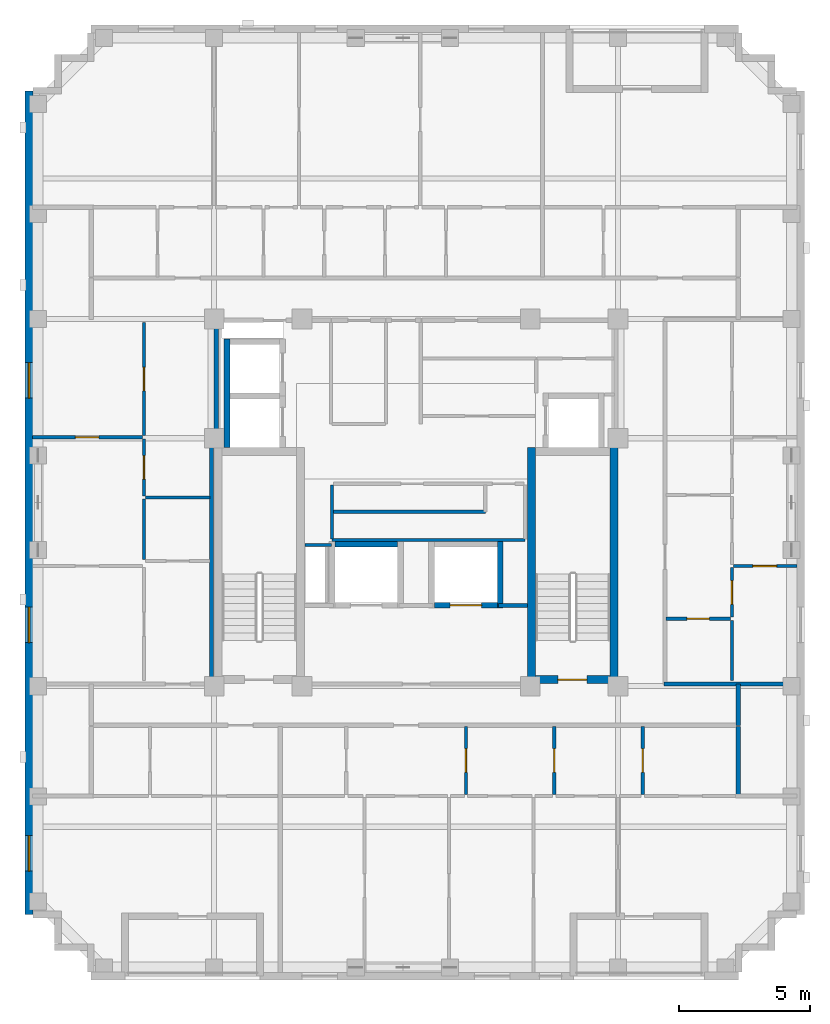
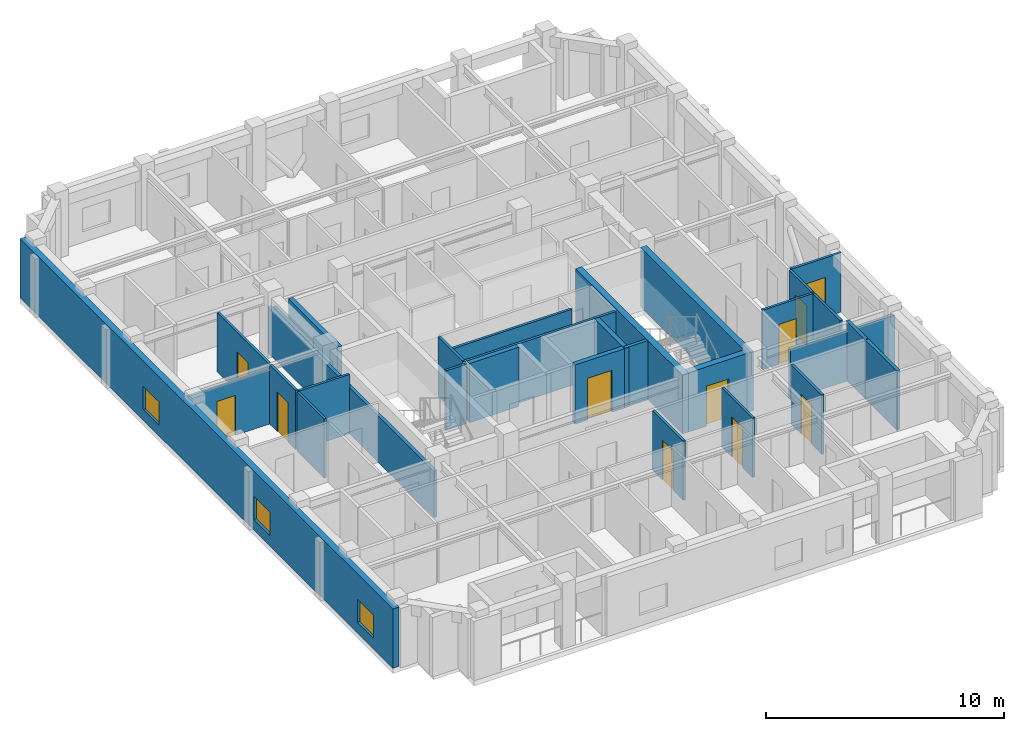
# One storey, part 4 of 11: 30 walls, 11 doors, 3 windows, 14 openings.
"""IFC4 building model written with IfcOpenShell, lengths in metres."""

from ifc_helpers import new_model, si_unit, derived_unit, direction, frame, frame_2d, origin, place, context, subcontext, project, spatial, rectangle, extrude, material, layer, layer_set, type_object, element, fill, save


model = new_model("IFC4")

# Units and contexts
model_context = context("Model", 3, precision=1e-05, world=origin(), true_north=direction((0.0, 1.0)))
body_context = subcontext(model_context, "Body", "Model", "MODEL_VIEW")
ifc_project = project(units=[si_unit("LENGTHUNIT", "METRE"), si_unit("AREAUNIT", "SQUARE_METRE"), si_unit("VOLUMEUNIT", "CUBIC_METRE"), si_unit("PLANEANGLEUNIT", "RADIAN"), si_unit("MASSUNIT", "GRAM", prefix="KILO"), derived_unit("THERMALTRANSMITTANCEUNIT", [(si_unit("MASSUNIT", "GRAM", prefix="KILO"), 1), (si_unit("TIMEUNIT", "SECOND"), -3), (si_unit("THERMODYNAMICTEMPERATUREUNIT", "KELVIN"), -1)])], contexts=[model_context])

# Site, building, storey
site_placement = place(None, origin())
site = spatial("IfcSite", under=ifc_project, at=site_placement, CompositionType="ELEMENT")
building_placement = place(site_placement, origin())
building = spatial("IfcBuilding", under=site, at=building_placement, Name="Korrvale Station Residences", CompositionType="ELEMENT")
storey_placement = place(building_placement, frame((0.0, 0.0, 258.10009765625)))
storey = spatial("IfcBuildingStorey", under=building, at=storey_placement, Name="L75", CompositionType="ELEMENT", Elevation=258.10009765625)

# Walls
ifc_material_1 = material(Name="Concrete C50/60", Category="concrete")
ifc_layer_1 = layer(ifc_material_1, 0.300048828125, Name="Concrete C50/60")
ifc_layer_set_1 = layer_set([ifc_layer_1], Name="Concrete C50/60")
wall_type_1 = type_object("IfcWallType", Name="WAL-CORE-300-C50", PredefinedType="SHEAR", material=ifc_layer_set_1)
for number, where, z_axis, x_axis, name in (
    (1, (29.89990234375, 15.10009765625, 0.0), (0.0, 0.0, 1.0), (0.0, 1.0, 0.0), "L75 ST-2 Core Shear Wall West"),
    (2, (33.050048828125, 15.10009765625, 0.0), (0.0, 0.0, 1.0), (0.0, 1.0, 0.0), "L75 ST-2 Core Shear Wall East"),
):
    element("IfcWall", number, at=place(storey_placement, frame(where, z_axis=z_axis, x_axis=x_axis)), inside=storey, type_object=wall_type_1, Name=name, PredefinedType="SHEAR", context=body_context, shape_type="SweptSolid", body=[
        extrude(rectangle(XDim=9.0, YDim=0.300048828125, at=frame_2d((4.5, 0.0))), origin(), (0.0, 0.0, 1.0), 3.0498046875),
    ])

# Wall, opening, door
wall_1_placement = place(storey_placement, frame((30.050048828125, 15.25, 0.0), z_axis=(0.0, 0.0, 1.0), x_axis=(1.0, 0.0, 0.0)))
wall_1 = element("IfcWall", 3, at=wall_1_placement, inside=storey, type_object=wall_type_1, Name="L75 ST-2 Core Shear Wall South", PredefinedType="SHEAR", context=body_context, shape_type="SweptSolid", body=[
    extrude(rectangle(XDim=2.849853515625, YDim=0.300048828125, at=frame_2d((1.4248046875, 0.0))), origin(), (0.0, 0.0, 1.0), 3.0498046875),
])
opening_1_placement = place(wall_1_placement, frame((0.860107421875, 0.0, 0.0)))
opening_1 = element("IfcOpeningElement", 4, at=opening_1_placement, cuts=wall_1, Name="Opening SD-1100", PredefinedType="OPENING", context=body_context, shape_type="SweptSolid", body=[
    extrude(rectangle(XDim=1.10009765625, YDim=2.050048828125, at=frame_2d((0.550048828125, 1.02490234375))), frame((0.0, 0.16015625, 0.0), z_axis=(0.0, -1.0, 0.0), x_axis=(1.0, 0.0, 0.0)), (0.0, 0.0, 1.0), 0.320068359375),
])
ifc_material_2 = material(Name="Hollow-metal fire-rated stair door with closer", Category="steel")
door_type_1 = type_object("IfcDoorType", Name="DR-STAIR-1100", OperationType="NOTDEFINED", PredefinedType="DOOR", material=ifc_material_2)
door_1_placement = place(opening_1_placement, origin())
door_1 = element("IfcDoor", 5, at=door_1_placement, inside=storey, type_object=door_type_1, Name="L75 ST-2 Exit Stair Door", OperationType="SINGLE_SWING_RIGHT", OverallHeight=2.050048828125, OverallWidth=1.10009765625, PredefinedType="DOOR", context=body_context, shape_type="SweptSolid", body=[
    extrude(rectangle(XDim=1.10009765625, YDim=2.050048828125, at=frame_2d((0.550048828125, 1.02490234375))), frame((0.0, 0.02490234375, 0.0), z_axis=(0.0, -1.0, 0.0), x_axis=(1.0, 0.0, 0.0)), (0.0, 0.0, 1.0), 0.050048828125),
])
fill(opening_1, door_1)

# Wall, openings, windows
ifc_material_3 = material(Name="Precast concrete C45/55", Category="concrete")
ifc_layer_2 = layer(ifc_material_3, 0.300048828125, Name="Precast concrete C45/55")
ifc_layer_set_2 = layer_set([ifc_layer_2], Name="Precast concrete C45/55")
wall_type_2 = type_object("IfcWallType", Name="WAL-EXT-PC300", PredefinedType="SOLIDWALL", material=ifc_layer_set_2)
wall_2_placement = place(storey_placement, frame((10.75, 6.300048828125, 0.0), z_axis=(0.0, 0.0, 1.0), x_axis=(0.0, 1.0, 0.0)))
wall_2 = element("IfcWall", 6, at=wall_2_placement, inside=storey, type_object=wall_type_2, Name="L75 West Exterior Precast Wall 1", PredefinedType="SOLIDWALL", context=body_context, shape_type="SweptSolid", body=[
    extrude(rectangle(XDim=31.39990234375, YDim=0.300048828125, at=frame_2d((15.699951171875, 0.0))), origin(), (0.0, 0.0, 1.0), 3.0498046875),
])
opening_2_placement = place(wall_2_placement, frame((1.653076171875, 0.0, 0.550048828125)))
opening_2 = element("IfcOpeningElement", 7, at=opening_2_placement, cuts=wall_2, Name="Opening W-10", PredefinedType="OPENING", context=body_context, shape_type="SweptSolid", body=[
    extrude(rectangle(XDim=1.35009765625, YDim=1.199951171875, at=frame_2d((0.675048828125, 0.60009765625))), frame((0.0, 0.16015625, 0.0), z_axis=(0.0, -1.0, 0.0), x_axis=(1.0, 0.0, 0.0)), (0.0, 0.0, 1.0), 0.320068359375),
])
opening_3_placement = place(wall_2_placement, frame((10.366943359375, 0.0, 0.550048828125)))
opening_3 = element("IfcOpeningElement", 8, at=opening_3_placement, cuts=wall_2, Name="Opening W-10", PredefinedType="OPENING", context=body_context, shape_type="SweptSolid", body=[
    extrude(rectangle(XDim=1.35009765625, YDim=1.199951171875, at=frame_2d((0.675048828125, 0.60009765625))), frame((0.0, 0.16015625, 0.0), z_axis=(0.0, -1.0, 0.0), x_axis=(1.0, 0.0, 0.0)), (0.0, 0.0, 1.0), 0.320068359375),
])
opening_4_placement = place(wall_2_placement, frame((19.68310546875, 0.0, 0.550048828125)))
opening_4 = element("IfcOpeningElement", 9, at=opening_4_placement, cuts=wall_2, Name="Opening W-10", PredefinedType="OPENING", context=body_context, shape_type="SweptSolid", body=[
    extrude(rectangle(XDim=1.35009765625, YDim=1.199951171875, at=frame_2d((0.675048828125, 0.60009765625))), frame((0.0, 0.16015625, 0.0), z_axis=(0.0, -1.0, 0.0), x_axis=(1.0, 0.0, 0.0)), (0.0, 0.0, 1.0), 0.320068359375),
])
ifc_material_4 = material(Name="Thermally broken aluminium frame with triple low-e glazing", Category="aluminium")
window_type = type_object("IfcWindowType", Name="WIN-W10", PartitioningType="SINGLE_PANEL", PredefinedType="WINDOW", material=ifc_material_4)
window_1_placement = place(opening_2_placement, origin())
window_1 = element("IfcWindow", 10, at=window_1_placement, inside=storey, type_object=window_type, Name="L75 Punched Window 01", OverallHeight=1.199951171875, OverallWidth=1.35009765625, PartitioningType="SINGLE_PANEL", PredefinedType="WINDOW", context=body_context, shape_type="SweptSolid", body=[
    extrude(rectangle(XDim=1.35009765625, YDim=1.199951171875, at=frame_2d((0.675048828125, 0.60009765625))), frame((0.0, 0.030029296875, 0.0), z_axis=(0.0, -1.0, 0.0), x_axis=(1.0, 0.0, 0.0)), (0.0, 0.0, 1.0), 0.06005859375),
])
fill(opening_2, window_1)
window_2_placement = place(opening_3_placement, origin())
window_2 = element("IfcWindow", 11, at=window_2_placement, inside=storey, type_object=window_type, Name="L75 Punched Window 11", OverallHeight=1.199951171875, OverallWidth=1.35009765625, PartitioningType="SINGLE_PANEL", PredefinedType="WINDOW", context=body_context, shape_type="SweptSolid", body=[
    extrude(rectangle(XDim=1.35009765625, YDim=1.199951171875, at=frame_2d((0.675048828125, 0.60009765625))), frame((0.0, 0.030029296875, 0.0), z_axis=(0.0, -1.0, 0.0), x_axis=(1.0, 0.0, 0.0)), (0.0, 0.0, 1.0), 0.06005859375),
])
fill(opening_3, window_2)
window_3_placement = place(opening_4_placement, origin())
window_3 = element("IfcWindow", 12, at=window_3_placement, inside=storey, type_object=window_type, Name="L75 Punched Window 12", OverallHeight=1.199951171875, OverallWidth=1.35009765625, PartitioningType="SINGLE_PANEL", PredefinedType="WINDOW", context=body_context, shape_type="SweptSolid", body=[
    extrude(rectangle(XDim=1.35009765625, YDim=1.199951171875, at=frame_2d((0.675048828125, 0.60009765625))), frame((0.0, 0.030029296875, 0.0), z_axis=(0.0, -1.0, 0.0), x_axis=(1.0, 0.0, 0.0)), (0.0, 0.0, 1.0), 0.06005859375),
])
fill(opening_4, window_3)

# Walls
ifc_material_5 = material(Name="Acoustic steel-stud gypsum board partition", Category="steel")
ifc_layer_3 = layer(ifc_material_5, 0.1201171875, Name="Acoustic steel-stud gypsum board partition")
ifc_layer_set_3 = layer_set([ifc_layer_3], Name="Acoustic steel-stud gypsum board partition")
wall_type_3 = type_object("IfcWallType", Name="WAL-PART-125", PredefinedType="PARTITIONING", material=ifc_layer_set_3)
wall_3_placement = place(storey_placement, frame((22.280029296875, 20.3798828125, 0.0), z_axis=(0.0, 0.0, 1.0), x_axis=(-1.0, 0.0, 0.0)))
element("IfcWall", 13, at=wall_3_placement, inside=storey, type_object=wall_type_3, Name="L75 Core Partition CW-RSWT-N", PredefinedType="PARTITIONING", context=body_context, shape_type="SweptSolid", body=[
    extrude(rectangle(XDim=1.02001953125, YDim=0.1201171875, at=frame_2d((0.510009765625, 0.0))), origin(), (0.0, 0.0, 1.0), 3.0498046875),
])
wall_4_placement = place(storey_placement, frame((22.300048828125, 20.580078125, 0.0), z_axis=(0.0, 0.0, 1.0), x_axis=(1.0, 0.0, 0.0)))
element("IfcWall", 14, at=wall_4_placement, inside=storey, type_object=wall_type_3, Name="L75 Core Partition CW-FPM-S", PredefinedType="PARTITIONING", context=body_context, shape_type="SweptSolid", body=[
    extrude(rectangle(XDim=7.349853515625, YDim=0.1201171875, at=frame_2d((3.6748046875, 0.0))), origin(), (0.0, 0.0, 1.0), 3.0498046875),
])
wall_5_placement = place(storey_placement, frame((22.300048828125, 20.6201171875, 0.0), z_axis=(0.0, 0.0, 1.0), x_axis=(0.0, 1.0, 0.0)))
element("IfcWall", 15, at=wall_5_placement, inside=storey, type_object=wall_type_3, Name="L75 Core Partition CW-FPM-W", PredefinedType="PARTITIONING", context=body_context, shape_type="SweptSolid", body=[
    extrude(rectangle(XDim=2.059814453125, YDim=0.1201171875, at=frame_2d((1.02978515625, 0.0))), origin(), (0.0, 0.0, 1.0), 3.0498046875),
])
wall_6_placement = place(storey_placement, frame((22.35009765625, 21.64990234375, 0.0), z_axis=(0.0, 0.0, 1.0), x_axis=(1.0, 0.0, 0.0)))
element("IfcWall", 16, at=wall_6_placement, inside=storey, type_object=wall_type_3, Name="L75 Core Partition CW-FPM-H1", PredefinedType="PARTITIONING", context=body_context, shape_type="SweptSolid", body=[
    extrude(rectangle(XDim=5.789794921875, YDim=0.1201171875, at=frame_2d((2.89501953125, 0.0))), origin(), (0.0, 0.0, 1.0), 3.0498046875),
])

# Wall, opening, door
wall_7_placement = place(storey_placement, frame((27.39990234375, 10.8701171875, 0.0), z_axis=(0.0, 0.0, 1.0), x_axis=(0.0, 1.0, 0.0)))
wall_7 = element("IfcWall", 17, at=wall_7_placement, inside=storey, type_object=wall_type_3, Name="L75 Suite Partition U02-V12", PredefinedType="PARTITIONING", context=body_context, shape_type="SweptSolid", body=[
    extrude(rectangle(XDim=2.599853515625, YDim=0.1201171875, at=frame_2d((1.2998046875, 0.0))), origin(), (0.0, 0.0, 1.0), 3.0498046875),
])
opening_5_placement = place(wall_7_placement, frame((0.85009765625, 0.0, 0.0)))
opening_5 = element("IfcOpeningElement", 18, at=opening_5_placement, cuts=wall_7, Name="Opening DI-900", PredefinedType="OPENING", context=body_context, shape_type="SweptSolid", body=[
    extrude(rectangle(XDim=0.89990234375, YDim=2.050048828125, at=frame_2d((0.449951171875, 1.02490234375))), frame((0.0, 0.070068359375, 0.0), z_axis=(0.0, -1.0, 0.0), x_axis=(1.0, 0.0, 0.0)), (0.0, 0.0, 1.0), 0.14013671875),
])
ifc_material_6 = material(Name="Painted solid-core timber interior room door", Category="wood")
door_type_2 = type_object("IfcDoorType", Name="DR-INT-900", OperationType="NOTDEFINED", PredefinedType="DOOR", material=ifc_material_6)
door_2_placement = place(opening_5_placement, origin())
door_2 = element("IfcDoor", 19, at=door_2_placement, inside=storey, type_object=door_type_2, Name="L75 Studio Apartment L75-U02 Kitchen Door", OperationType="SINGLE_SWING_LEFT", OverallHeight=2.050048828125, OverallWidth=0.89990234375, PredefinedType="DOOR", context=body_context, shape_type="SweptSolid", body=[
    extrude(rectangle(XDim=0.89990234375, YDim=2.050048828125, at=frame_2d((0.449951171875, 1.02490234375))), frame((0.0, 0.02490234375, 0.0), z_axis=(0.0, -1.0, 0.0), x_axis=(1.0, 0.0, 0.0)), (0.0, 0.0, 1.0), 0.050048828125),
])
fill(opening_5, door_2)

wall_8_placement = place(storey_placement, frame((30.77001953125, 10.8701171875, 0.0), z_axis=(0.0, 0.0, 1.0), x_axis=(0.0, 1.0, 0.0)))
wall_8 = element("IfcWall", 20, at=wall_8_placement, inside=storey, type_object=wall_type_3, Name="L75 Suite Partition U02-V23", PredefinedType="PARTITIONING", context=body_context, shape_type="SweptSolid", body=[
    extrude(rectangle(XDim=2.599853515625, YDim=0.1201171875, at=frame_2d((1.2998046875, 0.0))), origin(), (0.0, 0.0, 1.0), 3.0498046875),
])
opening_6_placement = place(wall_8_placement, frame((0.85009765625, 0.0, 0.0)))
opening_6 = element("IfcOpeningElement", 21, at=opening_6_placement, cuts=wall_8, Name="Opening DI-900", PredefinedType="OPENING", context=body_context, shape_type="SweptSolid", body=[
    extrude(rectangle(XDim=0.89990234375, YDim=2.050048828125, at=frame_2d((0.449951171875, 1.02490234375))), frame((0.0, 0.070068359375, 0.0), z_axis=(0.0, -1.0, 0.0), x_axis=(1.0, 0.0, 0.0)), (0.0, 0.0, 1.0), 0.14013671875),
])
door_3_placement = place(opening_6_placement, origin())
door_3 = element("IfcDoor", 22, at=door_3_placement, inside=storey, type_object=door_type_2, Name="L75 Studio Apartment L75-U02 Home Study Room Door", OperationType="SINGLE_SWING_LEFT", OverallHeight=2.050048828125, OverallWidth=0.89990234375, PredefinedType="DOOR", context=body_context, shape_type="SweptSolid", body=[
    extrude(rectangle(XDim=0.89990234375, YDim=2.050048828125, at=frame_2d((0.449951171875, 1.02490234375))), frame((0.0, 0.02490234375, 0.0), z_axis=(0.0, -1.0, 0.0), x_axis=(1.0, 0.0, 0.0)), (0.0, 0.0, 1.0), 0.050048828125),
])
fill(opening_6, door_3)

wall_9_placement = place(storey_placement, frame((34.139892578125, 10.8701171875, 0.0), z_axis=(0.0, 0.0, 1.0), x_axis=(0.0, 1.0, 0.0)))
wall_9 = element("IfcWall", 23, at=wall_9_placement, inside=storey, type_object=wall_type_3, Name="L75 Suite Partition U02-V34", PredefinedType="PARTITIONING", context=body_context, shape_type="SweptSolid", body=[
    extrude(rectangle(XDim=2.599853515625, YDim=0.1201171875, at=frame_2d((1.2998046875, 0.0))), origin(), (0.0, 0.0, 1.0), 3.0498046875),
])
opening_7_placement = place(wall_9_placement, frame((0.85009765625, 0.0, 0.0)))
opening_7 = element("IfcOpeningElement", 24, at=opening_7_placement, cuts=wall_9, Name="Opening DI-900", PredefinedType="OPENING", context=body_context, shape_type="SweptSolid", body=[
    extrude(rectangle(XDim=0.89990234375, YDim=2.050048828125, at=frame_2d((0.449951171875, 1.02490234375))), frame((0.0, 0.070068359375, 0.0), z_axis=(0.0, -1.0, 0.0), x_axis=(1.0, 0.0, 0.0)), (0.0, 0.0, 1.0), 0.14013671875),
])
door_4_placement = place(opening_7_placement, origin())
door_4 = element("IfcDoor", 25, at=door_4_placement, inside=storey, type_object=door_type_2, Name="L75 Studio Apartment L75-U02 Home Study Room Door", OperationType="SINGLE_SWING_LEFT", OverallHeight=2.050048828125, OverallWidth=0.89990234375, PredefinedType="DOOR", context=body_context, shape_type="SweptSolid", body=[
    extrude(rectangle(XDim=0.89990234375, YDim=2.050048828125, at=frame_2d((0.449951171875, 1.02490234375))), frame((0.0, 0.02490234375, 0.0), z_axis=(0.0, -1.0, 0.0), x_axis=(1.0, 0.0, 0.0)), (0.0, 0.0, 1.0), 0.050048828125),
])
fill(opening_7, door_4)

# Wall
wall_10_placement = place(storey_placement, frame((15.18994140625, 22.18994140625, 0.0), z_axis=(0.0, 0.0, 1.0), x_axis=(1.0, 0.0, 0.0)))
element("IfcWall", 26, at=wall_10_placement, inside=storey, type_object=wall_type_3, Name="L75 Suite Partition U05-H01", PredefinedType="PARTITIONING", context=body_context, shape_type="SweptSolid", body=[
    extrude(rectangle(XDim=2.449951171875, YDim=0.1201171875, at=frame_2d((1.22509765625, 0.0))), origin(), (0.0, 0.0, 1.0), 3.0498046875),
])

# Wall, opening, door
wall_11_placement = place(storey_placement, frame((15.1298828125, 22.25, 0.0), z_axis=(0.0, 0.0, 1.0), x_axis=(0.0, 1.0, 0.0)))
wall_11 = element("IfcWall", 27, at=wall_11_placement, inside=storey, type_object=wall_type_3, Name="L75 Suite Partition U05-V04", PredefinedType="PARTITIONING", context=body_context, shape_type="SweptSolid", body=[
    extrude(rectangle(XDim=2.181884765625, YDim=0.1201171875, at=frame_2d((1.0908203125, 0.0))), origin(), (0.0, 0.0, 1.0), 3.0498046875),
])
opening_8_placement = place(wall_11_placement, frame((0.64111328125, 0.0, 0.0)))
opening_8 = element("IfcOpeningElement", 28, at=opening_8_placement, cuts=wall_11, Name="Opening DI-900", PredefinedType="OPENING", context=body_context, shape_type="SweptSolid", body=[
    extrude(rectangle(XDim=0.89990234375, YDim=2.050048828125, at=frame_2d((0.449951171875, 1.02490234375))), frame((0.0, 0.070068359375, 0.0), z_axis=(0.0, -1.0, 0.0), x_axis=(1.0, 0.0, 0.0)), (0.0, 0.0, 1.0), 0.14013671875),
])
door_5_placement = place(opening_8_placement, origin())
door_5 = element("IfcDoor", 29, at=door_5_placement, inside=storey, type_object=door_type_2, Name="L75 Apartment 2BR L75-U05 Wardrobe Storage Room Door", OperationType="SINGLE_SWING_LEFT", OverallHeight=2.050048828125, OverallWidth=0.89990234375, PredefinedType="DOOR", context=body_context, shape_type="SweptSolid", body=[
    extrude(rectangle(XDim=0.89990234375, YDim=2.050048828125, at=frame_2d((0.449951171875, 1.02490234375))), frame((0.0, 0.02490234375, 0.0), z_axis=(0.0, -1.0, 0.0), x_axis=(1.0, 0.0, 0.0)), (0.0, 0.0, 1.0), 0.050048828125),
])
fill(opening_8, door_5)

wall_12_placement = place(storey_placement, frame((15.1298828125, 24.552001953125, 0.0), z_axis=(0.0, 0.0, 1.0), x_axis=(0.0, 1.0, 0.0)))
wall_12 = element("IfcWall", 30, at=wall_12_placement, inside=storey, type_object=wall_type_3, Name="L75 Suite Partition U05-V05", PredefinedType="PARTITIONING", context=body_context, shape_type="SweptSolid", body=[
    extrude(rectangle(XDim=4.30810546875, YDim=0.1201171875, at=frame_2d((2.154052734375, 0.0))), origin(), (0.0, 0.0, 1.0), 3.0498046875),
])
opening_9_placement = place(wall_12_placement, frame((1.7041015625, 0.0, 0.0)))
opening_9 = element("IfcOpeningElement", 31, at=opening_9_placement, cuts=wall_12, Name="Opening DI-900", PredefinedType="OPENING", context=body_context, shape_type="SweptSolid", body=[
    extrude(rectangle(XDim=0.89990234375, YDim=2.050048828125, at=frame_2d((0.449951171875, 1.02490234375))), frame((0.0, 0.070068359375, 0.0), z_axis=(0.0, -1.0, 0.0), x_axis=(1.0, 0.0, 0.0)), (0.0, 0.0, 1.0), 0.14013671875),
])
door_6_placement = place(opening_9_placement, origin())
door_6 = element("IfcDoor", 32, at=door_6_placement, inside=storey, type_object=door_type_2, Name="L75 Apartment 2BR L75-U05 Wardrobe Storage Room Door", OperationType="SINGLE_SWING_RIGHT", OverallHeight=2.050048828125, OverallWidth=0.89990234375, PredefinedType="DOOR", context=body_context, shape_type="SweptSolid", body=[
    extrude(rectangle(XDim=0.89990234375, YDim=2.050048828125, at=frame_2d((0.449951171875, 1.02490234375))), frame((0.0, 0.02490234375, 0.0), z_axis=(0.0, -1.0, 0.0), x_axis=(1.0, 0.0, 0.0)), (0.0, 0.0, 1.0), 0.050048828125),
])
fill(opening_9, door_6)

# Wall
wall_13_placement = place(storey_placement, frame((15.1298828125, 19.830078125, 0.0), z_axis=(0.0, 0.0, 1.0), x_axis=(0.0, 1.0, 0.0)))
element("IfcWall", 33, at=wall_13_placement, inside=storey, type_object=wall_type_3, Name="L75 Suite Partition U05-V14", PredefinedType="PARTITIONING", context=body_context, shape_type="SweptSolid", body=[
    extrude(rectangle(XDim=2.2998046875, YDim=0.1201171875, at=frame_2d((1.14990234375, 0.0))), origin(), (0.0, 0.0, 1.0), 3.0498046875),
])

# Wall, opening, door
wall_14_placement = place(storey_placement, frame((10.8798828125, 24.491943359375, 0.0), z_axis=(0.0, 0.0, 1.0), x_axis=(1.0, 0.0, 0.0)))
wall_14 = element("IfcWall", 34, at=wall_14_placement, inside=storey, type_object=wall_type_3, Name="L75 Suite Partition U05-H45", PredefinedType="PARTITIONING", context=body_context, shape_type="SweptSolid", body=[
    extrude(rectangle(XDim=4.190185546875, YDim=0.1201171875, at=frame_2d((2.09521484375, 0.0))), origin(), (0.0, 0.0, 1.0), 2.787841796875),
])
opening_10_placement = place(wall_14_placement, frame((1.6298828125, 0.0, 0.0)))
opening_10 = element("IfcOpeningElement", 35, at=opening_10_placement, cuts=wall_14, Name="Opening DI-900", PredefinedType="OPENING", context=body_context, shape_type="SweptSolid", body=[
    extrude(rectangle(XDim=0.89990234375, YDim=2.050048828125, at=frame_2d((0.449951171875, 1.02490234375))), frame((0.0, 0.070068359375, 0.0), z_axis=(0.0, -1.0, 0.0), x_axis=(1.0, 0.0, 0.0)), (0.0, 0.0, 1.0), 0.14013671875),
])
door_7_placement = place(opening_10_placement, origin())
door_7 = element("IfcDoor", 36, at=door_7_placement, inside=storey, type_object=door_type_2, Name="L75 Apartment 2BR L75-U05 Living and Dining Room Door", OperationType="SINGLE_SWING_RIGHT", OverallHeight=2.050048828125, OverallWidth=0.89990234375, PredefinedType="DOOR", context=body_context, shape_type="SweptSolid", body=[
    extrude(rectangle(XDim=0.89990234375, YDim=2.050048828125, at=frame_2d((0.449951171875, 1.02490234375))), frame((0.0, 0.02490234375, 0.0), z_axis=(0.0, -1.0, 0.0), x_axis=(1.0, 0.0, 0.0)), (0.0, 0.0, 1.0), 0.050048828125),
])
fill(opening_10, door_7)

wall_15_placement = place(storey_placement, frame((35.030029296875, 17.570068359375, 0.0), z_axis=(0.0, 0.0, 1.0), x_axis=(1.0, 0.0, 0.0)))
wall_15 = element("IfcWall", 37, at=wall_15_placement, inside=storey, type_object=wall_type_3, Name="L75 Suite Partition U06-H12", PredefinedType="PARTITIONING", context=body_context, shape_type="SweptSolid", body=[
    extrude(rectangle(XDim=2.449951171875, YDim=0.1201171875, at=frame_2d((1.22509765625, 0.0))), origin(), (0.0, 0.0, 1.0), 3.0498046875),
])
opening_11_placement = place(wall_15_placement, frame((0.794921875, 0.0, 0.0)))
opening_11 = element("IfcOpeningElement", 38, at=opening_11_placement, cuts=wall_15, Name="Opening DB-860", PredefinedType="OPENING", context=body_context, shape_type="SweptSolid", body=[
    extrude(rectangle(XDim=0.860107421875, YDim=2.050048828125, at=frame_2d((0.43017578125, 1.02490234375))), frame((0.0, 0.070068359375, 0.0), z_axis=(0.0, -1.0, 0.0), x_axis=(1.0, 0.0, 0.0)), (0.0, 0.0, 1.0), 0.14013671875),
])
ifc_material_7 = material(Name="Moisture-resistant solid-core bathroom door", Category="timber")
door_type_3 = type_object("IfcDoorType", Name="DR-BATH-860", OperationType="NOTDEFINED", PredefinedType="DOOR", material=ifc_material_7)
door_8_placement = place(opening_11_placement, origin())
door_8 = element("IfcDoor", 39, at=door_8_placement, inside=storey, type_object=door_type_3, Name="L75 Apartment 2BR L75-U06 Bathroom Door", OperationType="SINGLE_SWING_RIGHT", OverallHeight=2.050048828125, OverallWidth=0.860107421875, PredefinedType="DOOR", context=body_context, shape_type="SweptSolid", body=[
    extrude(rectangle(XDim=0.860107421875, YDim=2.050048828125, at=frame_2d((0.43017578125, 1.02490234375))), frame((0.0, 0.02490234375, 0.0), z_axis=(0.0, -1.0, 0.0), x_axis=(1.0, 0.0, 0.0)), (0.0, 0.0, 1.0), 0.050048828125),
])
fill(opening_11, door_8)

# Wall
wall_16_placement = place(storey_placement, frame((37.5400390625, 15.2099609375, 0.0), z_axis=(0.0, 0.0, 1.0), x_axis=(0.0, 1.0, 0.0)))
element("IfcWall", 40, at=wall_16_placement, inside=storey, type_object=wall_type_3, Name="L75 Suite Partition U06-V13", PredefinedType="PARTITIONING", context=body_context, shape_type="SweptSolid", body=[
    extrude(rectangle(XDim=2.300048828125, YDim=0.1201171875, at=frame_2d((1.14990234375, 0.0))), origin(), (0.0, 0.0, 1.0), 3.0498046875),
])

# Wall, opening, door
wall_17_placement = place(storey_placement, frame((37.5400390625, 17.6298828125, 0.0), z_axis=(0.0, 0.0, 1.0), x_axis=(0.0, 1.0, 0.0)))
wall_17 = element("IfcWall", 41, at=wall_17_placement, inside=storey, type_object=wall_type_3, Name="L75 Suite Partition U06-V23", PredefinedType="PARTITIONING", context=body_context, shape_type="SweptSolid", body=[
    extrude(rectangle(XDim=1.88818359375, YDim=0.1201171875, at=frame_2d((0.944091796875, 0.0))), origin(), (0.0, 0.0, 1.0), 3.0498046875),
])
opening_12_placement = place(wall_17_placement, frame((0.493896484375, 0.0, 0.0)))
opening_12 = element("IfcOpeningElement", 42, at=opening_12_placement, cuts=wall_17, Name="Opening DI-900", PredefinedType="OPENING", context=body_context, shape_type="SweptSolid", body=[
    extrude(rectangle(XDim=0.89990234375, YDim=2.050048828125, at=frame_2d((0.449951171875, 1.02490234375))), frame((0.0, 0.070068359375, 0.0), z_axis=(0.0, -1.0, 0.0), x_axis=(1.0, 0.0, 0.0)), (0.0, 0.0, 1.0), 0.14013671875),
])
door_9_placement = place(opening_12_placement, origin())
door_9 = element("IfcDoor", 43, at=door_9_placement, inside=storey, type_object=door_type_2, Name="L75 Apartment 2BR L75-U06 Kitchen Door", OperationType="SINGLE_SWING_LEFT", OverallHeight=2.050048828125, OverallWidth=0.89990234375, PredefinedType="DOOR", context=body_context, shape_type="SweptSolid", body=[
    extrude(rectangle(XDim=0.89990234375, YDim=2.050048828125, at=frame_2d((0.449951171875, 1.02490234375))), frame((0.0, 0.02490234375, 0.0), z_axis=(0.0, -1.0, 0.0), x_axis=(1.0, 0.0, 0.0)), (0.0, 0.0, 1.0), 0.050048828125),
])
fill(opening_12, door_9)

wall_18_placement = place(storey_placement, frame((37.60009765625, 19.577880859375, 0.0), z_axis=(0.0, 0.0, 1.0), x_axis=(1.0, 0.0, 0.0)))
wall_18 = element("IfcWall", 44, at=wall_18_placement, inside=storey, type_object=wall_type_3, Name="L75 Suite Partition U06-H34", PredefinedType="PARTITIONING", context=body_context, shape_type="SweptSolid", body=[
    extrude(rectangle(XDim=2.419921875, YDim=0.1201171875, at=frame_2d((1.2099609375, 0.0))), origin(), (0.0, 0.0, 1.0), 3.0498046875),
])
opening_13_placement = place(wall_18_placement, frame((0.7451171875, 0.0, 0.0)))
opening_13 = element("IfcOpeningElement", 45, at=opening_13_placement, cuts=wall_18, Name="Opening DI-900", PredefinedType="OPENING", context=body_context, shape_type="SweptSolid", body=[
    extrude(rectangle(XDim=0.89990234375, YDim=2.050048828125, at=frame_2d((0.449951171875, 1.02490234375))), frame((0.0, 0.070068359375, 0.0), z_axis=(0.0, -1.0, 0.0), x_axis=(1.0, 0.0, 0.0)), (0.0, 0.0, 1.0), 0.14013671875),
])
door_10_placement = place(opening_13_placement, origin())
door_10 = element("IfcDoor", 46, at=door_10_placement, inside=storey, type_object=door_type_2, Name="L75 Apartment 2BR L75-U06 Bedroom 1 Door", OperationType="SINGLE_SWING_LEFT", OverallHeight=2.050048828125, OverallWidth=0.89990234375, PredefinedType="DOOR", context=body_context, shape_type="SweptSolid", body=[
    extrude(rectangle(XDim=0.89990234375, YDim=2.050048828125, at=frame_2d((0.449951171875, 1.02490234375))), frame((0.0, 0.02490234375, 0.0), z_axis=(0.0, -1.0, 0.0), x_axis=(1.0, 0.0, 0.0)), (0.0, 0.0, 1.0), 0.050048828125),
])
fill(opening_13, door_10)

# Walls
ifc_material_8 = material(Name="Fire-rated twin-stud gypsum and mineral wool shaftwall assembly", Category="gypsum")
ifc_layer_4 = layer(ifc_material_8, 0.159912109375, Name="Fire-rated twin-stud gypsum and mineral wool shaftwall assembly")
ifc_layer_set_4 = layer_set([ifc_layer_4], Name="Fire-rated twin-stud gypsum and mineral wool shaftwall assembly")
wall_type_4 = type_object("IfcWallType", Name="WAL-PART-200", PredefinedType="PARTITIONING", material=ifc_layer_set_4)
wall_19_placement = place(storey_placement, frame((28.64990234375, 18.080078125, 0.0), z_axis=(0.0, 0.0, 1.0), x_axis=(1.0, 0.0, 0.0)))
element("IfcWall", 47, at=wall_19_placement, inside=storey, type_object=wall_type_4, Name="L75 Core Partition CW-FFL-N3", PredefinedType="PARTITIONING", context=body_context, shape_type="SweptSolid", body=[
    extrude(rectangle(XDim=1.10009765625, YDim=0.159912109375, at=frame_2d((0.550048828125, 0.0))), origin(), (0.0, 0.0, 1.0), 3.0498046875),
])
wall_20_placement = place(storey_placement, frame((17.8798828125, 24.1201171875, 0.0), z_axis=(0.0, 0.0, 1.0), x_axis=(0.0, 1.0, 0.0)))
element("IfcWall", 48, at=wall_20_placement, inside=storey, type_object=wall_type_4, Name="L75 Core Partition CW-W-N", PredefinedType="PARTITIONING", context=body_context, shape_type="SweptSolid", body=[
    extrude(rectangle(XDim=4.759765625, YDim=0.159912109375, at=frame_2d((2.3798828125, 0.0))), origin(), (0.0, 0.0, 1.0), 2.385009765625),
])
wall_21_placement = place(storey_placement, frame((37.780029296875, 13.510009765625, 0.0), z_axis=(0.0, 0.0, 1.0), x_axis=(0.0, 1.0, 0.0)))
element("IfcWall", 49, at=wall_21_placement, inside=storey, type_object=wall_type_4, Name="L75 Corridor South East Cap", PredefinedType="PARTITIONING", context=body_context, shape_type="SweptSolid", body=[
    extrude(rectangle(XDim=1.580078125, YDim=0.159912109375, at=frame_2d((0.7900390625, 0.0))), origin(), (0.0, 0.0, 1.0), 3.0498046875),
])
wall_22_placement = place(storey_placement, frame((34.949951171875, 15.090087890625, 0.0), z_axis=(0.0, 0.0, 1.0), x_axis=(1.0, 0.0, 0.0)))
element("IfcWall", 50, at=wall_22_placement, inside=storey, type_object=wall_type_4, Name="L75 East Wing South Corridor Wall", PredefinedType="PARTITIONING", context=body_context, shape_type="SweptSolid", body=[
    extrude(rectangle(XDim=5.070068359375, YDim=0.159912109375, at=frame_2d((2.53515625, 0.0))), origin(), (0.0, 0.0, 1.0), 2.577880859375),
])
wall_23_placement = place(storey_placement, frame((37.780029296875, 10.81005859375, 0.0), z_axis=(0.0, 0.0, 1.0), x_axis=(0.0, 1.0, 0.0)))
element("IfcWall", 51, at=wall_23_placement, inside=storey, type_object=wall_type_4, Name="L75 Corner Step Cheek U02-R", PredefinedType="PARTITIONING", context=body_context, shape_type="SweptSolid", body=[
    extrude(rectangle(XDim=2.659912109375, YDim=0.159912109375, at=frame_2d((1.330078125, 0.0))), origin(), (0.0, 0.0, 1.0), 3.0498046875),
])
wall_24_placement = place(storey_placement, frame((17.699951171875, 15.02001953125, 0.0), z_axis=(0.0, 0.0, 1.0), x_axis=(0.0, 1.0, 0.0)))
element("IfcWall", 52, at=wall_24_placement, inside=storey, type_object=wall_type_4, Name="L75 Rated Corridor Wall W", PredefinedType="PARTITIONING", context=body_context, shape_type="SweptSolid", body=[
    extrude(rectangle(XDim=13.97998046875, YDim=0.159912109375, at=frame_2d((6.989990234375, 0.0))), origin(), (0.0, 0.0, 1.0), 2.385009765625),
])
ifc_layer_5 = layer(ifc_material_1, 0.219970703125, Name="Concrete C50/60")
ifc_layer_set_5 = layer_set([ifc_layer_5], Name="Concrete C50/60")
wall_type_5 = type_object("IfcWallType", Name="WAL-SHAFT-220-C50", PredefinedType="SHEAR", material=ifc_layer_set_5)
wall_25_placement = place(storey_placement, frame((18.2900390625, 24.10009765625, 0.0), z_axis=(0.0, 0.0, 1.0), x_axis=(0.0, 1.0, 0.0)))
element("IfcWall", 53, at=wall_25_placement, inside=storey, type_object=wall_type_5, Name="L75 Elevator PH-1 Hoistway Wall West", PredefinedType="SHEAR", context=body_context, shape_type="SweptSolid", body=[
    extrude(rectangle(XDim=4.139892578125, YDim=0.219970703125, at=frame_2d((2.06982421875, 0.0))), origin(), (0.0, 0.0, 1.0), 3.0498046875),
])
wall_26_placement = place(storey_placement, frame((22.39990234375, 20.409912109375, 0.0), z_axis=(0.0, 0.0, 1.0), x_axis=(1.0, 0.0, 0.0)))
element("IfcWall", 54, at=wall_26_placement, inside=storey, type_object=wall_type_5, Name="L75 Elevator FFL-1 Hoistway Wall North", PredefinedType="SHEAR", context=body_context, shape_type="SweptSolid", body=[
    extrude(rectangle(XDim=2.400146484375, YDim=0.219970703125, at=frame_2d((1.2001953125, 0.0))), origin(), (0.0, 0.0, 1.0), 3.0498046875),
])

# Wall, opening, door
wall_27_placement = place(storey_placement, frame((26.199951171875, 18.090087890625, 0.0), z_axis=(0.0, 0.0, 1.0), x_axis=(1.0, 0.0, 0.0)))
wall_27 = element("IfcWall", 55, at=wall_27_placement, inside=storey, type_object=wall_type_5, Name="L75 Elevator FFL-2 Hoistway Wall South", PredefinedType="SHEAR", context=body_context, shape_type="SweptSolid", body=[
    extrude(rectangle(XDim=2.400146484375, YDim=0.219970703125, at=frame_2d((1.2001953125, 0.0))), origin(), (0.0, 0.0, 1.0), 3.0498046875),
])
opening_14_placement = place(wall_27_placement, frame((0.60009765625, 0.0, 0.0)))
opening_14 = element("IfcOpeningElement", 56, at=opening_14_placement, cuts=wall_27, Name="Opening LD-FF1200", PredefinedType="OPENING", context=body_context, shape_type="SweptSolid", body=[
    extrude(rectangle(XDim=1.199951171875, YDim=2.14990234375, at=frame_2d((0.60009765625, 1.074951171875))), frame((0.0, 0.1201171875, 0.0), z_axis=(0.0, -1.0, 0.0), x_axis=(1.0, 0.0, 0.0)), (0.0, 0.0, 1.0), 0.239990234375),
])
ifc_material_9 = material(Name="Stainless-steel firefighter elevator landing sliding door", Category="steel")
door_type_4 = type_object("IfcDoorType", Name="DR-LIFT-FF1200", OperationType="SLIDING_TO_LEFT", PredefinedType="DOOR", material=ifc_material_9)
door_11_placement = place(opening_14_placement, origin())
door_11 = element("IfcDoor", 57, at=door_11_placement, inside=storey, type_object=door_type_4, Name="L75 Elevator FFL-2 Sliding Landing Door", OperationType="SLIDING_TO_LEFT", OverallHeight=2.14990234375, OverallWidth=1.199951171875, PredefinedType="DOOR", context=body_context, shape_type="SweptSolid", body=[
    extrude(rectangle(XDim=1.199951171875, YDim=2.14990234375, at=frame_2d((0.60009765625, 1.074951171875))), frame((0.0, 0.02490234375, 0.0), z_axis=(0.0, -1.0, 0.0), x_axis=(1.0, 0.0, 0.0)), (0.0, 0.0, 1.0), 0.050048828125),
])
fill(opening_14, door_11)

# Wall
wall_28_placement = place(storey_placement, frame((28.7099609375, 17.97998046875, 0.0), z_axis=(0.0, 0.0, 1.0), x_axis=(0.0, 1.0, 0.0)))
element("IfcWall", 58, at=wall_28_placement, inside=storey, type_object=wall_type_5, Name="L75 Elevator FFL-2 Hoistway Wall East", PredefinedType="SHEAR", context=body_context, shape_type="SweptSolid", body=[
    extrude(rectangle(XDim=2.5400390625, YDim=0.219970703125, at=frame_2d((1.27001953125, 0.0))), origin(), (0.0, 0.0, 1.0), 3.0498046875),
])

save(model, "model.ifc")
